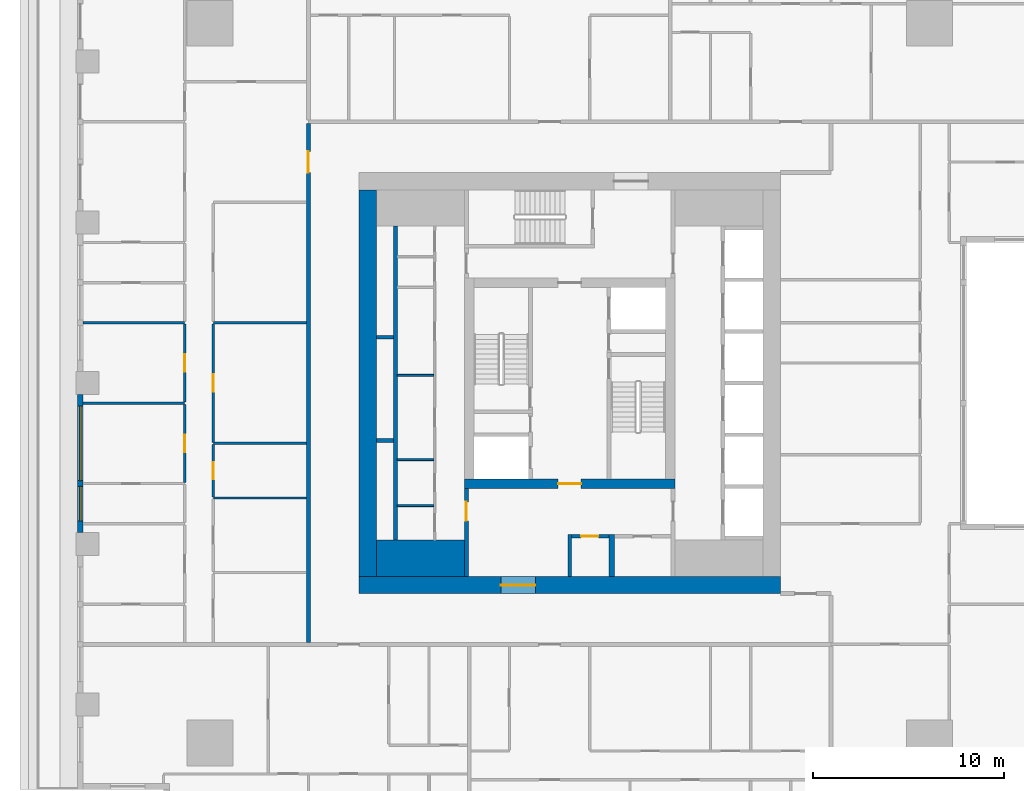
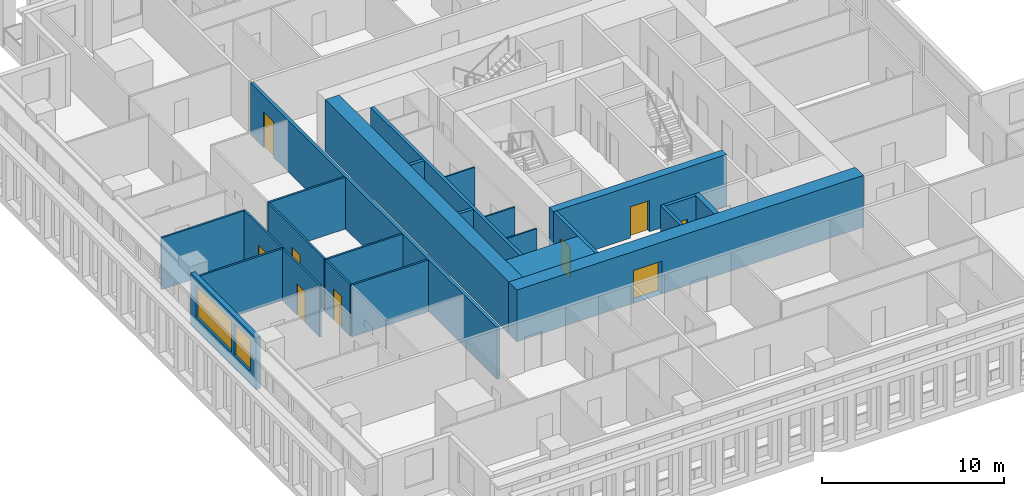
# One storey, part 3 of 16: 25 walls, 9 doors, 2 windows, 11 openings.
"""IFC4 building model written with IfcOpenShell, lengths in metres."""

from ifc_helpers import new_model, si_unit, direction, frame, frame_2d, origin, place, context, subcontext, project, spatial, rectangle, extrude, material, layer, layer_set, type_object, element, fill, save


model = new_model("IFC4")

# Units and contexts
model_context = context("Model", 3, precision=1e-05, world=origin(), true_north=direction((0.0, 1.0)))
body_context = subcontext(model_context, "Body", "Model", "MODEL_VIEW")
ifc_project = project(units=[si_unit("LENGTHUNIT", "METRE"), si_unit("AREAUNIT", "SQUARE_METRE"), si_unit("VOLUMEUNIT", "CUBIC_METRE"), si_unit("PLANEANGLEUNIT", "RADIAN"), si_unit("MASSUNIT", "GRAM", prefix="KILO")], contexts=[model_context])

# Site, building, storey
site_placement = place(None, origin())
site = spatial("IfcSite", under=ifc_project, at=site_placement, CompositionType="ELEMENT")
building_placement = place(site_placement, origin())
building = spatial("IfcBuilding", under=site, at=building_placement, Name="Khepri Terraces", CompositionType="ELEMENT")
storey_placement = place(building_placement, frame((0.0, 0.0, 207.89990234375)))
storey = spatial("IfcBuildingStorey", under=building, at=storey_placement, Name="L49", CompositionType="ELEMENT", Elevation=207.89990234375)

# Walls
ifc_material_1 = material(Name="Concrete C50/60", Category="concrete")
ifc_layer_1 = layer(ifc_material_1, 1.89990234375, Name="Concrete C50/60", Category="concrete")
ifc_layer_set_1 = layer_set([ifc_layer_1], Name="Concrete C50/60")
wall_type_1 = type_object("IfcWallType", Name="Core wall 1900 C50/60", PredefinedType="SHEAR", material=ifc_layer_set_1)
wall_1_placement = place(storey_placement, frame((-10.10009765625, -9.14990234375, 0.0), z_axis=(0.0, 0.0, 1.0), x_axis=(1.0, 0.0, 0.0)))
element("IfcWall", 1, at=wall_1_placement, inside=storey, type_object=wall_type_1, Name="Core wall PR01 L49", PredefinedType="SHEAR", context=body_context, shape_type="SweptSolid", body=[
    extrude(rectangle(XDim=4.60009765625, YDim=1.89990234375, at=frame_2d((2.300048828125, 0.0))), origin(), (0.0, 0.0, 1.0), 3.47998046875),
])
ifc_layer_2 = layer(ifc_material_1, 0.199951171875, Name="Concrete C50/60", Category="concrete")
ifc_layer_set_2 = layer_set([ifc_layer_2], Name="Concrete C50/60")
wall_type_2 = type_object("IfcWallType", Name="Core wall 200 C50/60", PredefinedType="SHEAR", material=ifc_layer_set_2)
wall_2_placement = place(storey_placement, frame((-9.10009765625, -8.199951171875, 0.0), z_axis=(0.0, 0.0, 1.0), x_axis=(0.0, 1.0, 0.0)))
element("IfcWall", 2, at=wall_2_placement, inside=storey, type_object=wall_type_2, Name="Core wall SH01 L49", PredefinedType="SHEAR", context=body_context, shape_type="SweptSolid", body=[
    extrude(rectangle(XDim=16.39990234375, YDim=0.199951171875, at=frame_2d((8.199951171875, 0.0))), origin(), (0.0, 0.0, 1.0), 3.47998046875),
])
for number, where, z_axis, x_axis, name in (
    (3, (-10.10009765625, -3.0, 0.0), (0.0, 0.0, 1.0), (1.0, 0.0, 0.0), "Core wall SH06 L49"),
    (4, (-10.10009765625, 2.39990234375, 0.0), (0.0, 0.0, 1.0), (1.0, 0.0, 0.0), "Core wall SH11 L49"),
):
    element("IfcWall", number, at=place(storey_placement, frame(where, z_axis=z_axis, x_axis=x_axis)), inside=storey, type_object=wall_type_2, Name=name, PredefinedType="SHEAR", context=body_context, shape_type="SweptSolid", body=[
        extrude(rectangle(XDim=0.900146484375, YDim=0.199951171875, at=frame_2d((0.4501953125, 0.0))), origin(), (0.0, 0.0, 1.0), 3.47998046875),
    ])

# Wall, opening, door
ifc_layer_3 = layer(ifc_material_1, 0.5, Name="Concrete C50/60", Category="concrete")
ifc_layer_set_3 = layer_set([ifc_layer_3], Name="Concrete C50/60")
wall_type_3 = type_object("IfcWallType", Name="Core wall 500 C50/60", PredefinedType="SHEAR", material=ifc_layer_set_3)
wall_3_placement = place(storey_placement, frame((-5.5, -5.25, 0.0), z_axis=(0.0, 0.0, 1.0), x_axis=(1.0, 0.0, 0.0)))
wall_3 = element("IfcWall", 5, at=wall_3_placement, inside=storey, type_object=wall_type_3, Name="Core wall BX01 L49", PredefinedType="SHEAR", context=body_context, shape_type="SweptSolid", body=[
    extrude(rectangle(XDim=11.0, YDim=0.5, at=frame_2d((5.5, 0.0))), origin(), (0.0, 0.0, 1.0), 3.47998046875),
])
opening_1_placement = place(wall_3_placement, frame((4.89990234375, 0.0, 0.0)))
opening_1 = element("IfcOpeningElement", 6, at=opening_1_placement, cuts=wall_3, Name="Opening L49-C14", PredefinedType="OPENING", context=body_context, shape_type="SweptSolid", body=[
    extrude(rectangle(XDim=1.199951171875, YDim=2.10009765625, at=frame_2d((0.60009765625, 1.050048828125))), frame((0.0, 0.260009765625, 0.0), z_axis=(0.0, -1.0, 0.0), x_axis=(1.0, 0.0, 0.0)), (0.0, 0.0, 1.0), 0.52001953125),
])
ifc_material_2 = material(Name="Painted steel", Category="steel")
door_type_1 = type_object("IfcDoorType", Name="DR-CORE-FF-LOBBY-1200", OperationType="NOTDEFINED", PredefinedType="DOOR", material=ifc_material_2)
door_1_placement = place(opening_1_placement, origin())
door_1 = element("IfcDoor", 7, at=door_1_placement, inside=storey, type_object=door_type_1, Name="Firefighting lobby door L49-C14", OperationType="SINGLE_SWING_RIGHT", OverallHeight=2.10009765625, OverallWidth=1.199951171875, PredefinedType="DOOR", context=body_context, shape_type="SweptSolid", body=[
    extrude(rectangle(XDim=1.199951171875, YDim=2.10009765625, at=frame_2d((0.60009765625, 1.050048828125))), frame((0.0, 0.02490234375, 0.0), z_axis=(0.0, -1.0, 0.0), x_axis=(1.0, 0.0, 0.0)), (0.0, 0.0, 1.0), 0.050048828125),
])
fill(opening_1, door_1)

ifc_layer_4 = layer(ifc_material_1, 0.89990234375, Name="Concrete C50/60", Category="concrete")
ifc_layer_set_4 = layer_set([ifc_layer_4], Name="Concrete C50/60")
wall_type_4 = type_object("IfcWallType", Name="Core wall 900 C50/60", PredefinedType="SHEAR", material=ifc_layer_set_4)
wall_4_placement = place(storey_placement, frame((-11.0, -10.550048828125, 0.0), z_axis=(0.0, 0.0, 1.0), x_axis=(1.0, 0.0, 0.0)))
wall_4 = element("IfcWall", 8, at=wall_4_placement, inside=storey, type_object=wall_type_4, Name="Core wall OW-S L49", PredefinedType="SHEAR", context=body_context, shape_type="SweptSolid", body=[
    extrude(rectangle(XDim=22.0, YDim=0.89990234375, at=frame_2d((11.0, 0.0))), origin(), (0.0, 0.0, 1.0), 3.47998046875),
])
opening_2_placement = place(wall_4_placement, frame((7.39990234375, 0.0, 0.0)))
opening_2 = element("IfcOpeningElement", 9, at=opening_2_placement, cuts=wall_4, Name="Opening L49-C21", PredefinedType="OPENING", context=body_context, shape_type="SweptSolid", body=[
    extrude(rectangle(XDim=1.800048828125, YDim=2.199951171875, at=frame_2d((0.89990234375, 1.10009765625))), frame((0.0, 0.4599609375, 0.0), z_axis=(0.0, -1.0, 0.0), x_axis=(1.0, 0.0, 0.0)), (0.0, 0.0, 1.0), 0.919921875),
])
door_type_2 = type_object("IfcDoorType", Name="DR-CORE-ENTRANCE-1800", OperationType="NOTDEFINED", PredefinedType="DOOR", material=ifc_material_2)
door_2_placement = place(opening_2_placement, frame((1.800048828125, 0.0, 0.0), z_axis=(0.0, 0.0, 1.0), x_axis=(-1.0, 0.0, 0.0)))
door_2 = element("IfcDoor", 10, at=door_2_placement, inside=storey, type_object=door_type_2, Name="Core entrance door pair L49-C21", OperationType="DOUBLE_DOOR_SINGLE_SWING", OverallHeight=2.199951171875, OverallWidth=1.800048828125, PredefinedType="DOOR", context=body_context, shape_type="SweptSolid", body=[
    extrude(rectangle(XDim=1.800048828125, YDim=2.199951171875, at=frame_2d((0.89990234375, 1.10009765625))), frame((0.0, 0.02490234375, 0.0), z_axis=(0.0, -1.0, 0.0), x_axis=(1.0, 0.0, 0.0)), (0.0, 0.0, 1.0), 0.050048828125),
])
fill(opening_2, door_2)

# Walls
wall_5_placement = place(storey_placement, frame((-10.550048828125, -10.10009765625, 0.0), z_axis=(0.0, 0.0, 1.0), x_axis=(0.0, 1.0, 0.0)))
element("IfcWall", 11, at=wall_5_placement, inside=storey, type_object=wall_type_4, Name="Core wall OW-W L49", PredefinedType="SHEAR", context=body_context, shape_type="SweptSolid", body=[
    extrude(rectangle(XDim=20.2001953125, YDim=0.89990234375, at=frame_2d((10.10009765625, 0.0))), origin(), (0.0, 0.0, 1.0), 3.47998046875),
])
ifc_material_3 = material(Name="Fire-rated gypsum board partition")
ifc_layer_5 = layer(ifc_material_3, 0.10009765625, Name="Fire-rated gypsum board partition")
ifc_layer_set_5 = layer_set([ifc_layer_5], Name="Fire-rated gypsum board partition")
wall_type_5 = type_object("IfcWallType", Name="WL-CORE-PART-100", PredefinedType="PARTITIONING", material=ifc_layer_set_5)
for number, where, z_axis, x_axis, name in (
    (12, (-9.0, -6.39990234375, 0.0), (0.0, 0.0, 1.0), (1.0, 0.0, 0.0), "Core partition PT08 L49"),
    (13, (-9.0, -4.0, 0.0), (0.0, 0.0, 1.0), (1.0, 0.0, 0.0), "Core partition PT09 L49"),
    (14, (-9.0, 0.39990234375, 0.0), (0.0, 0.0, 1.0), (1.0, 0.0, 0.0), "Core partition PT10 L49"),
):
    element("IfcWall", number, at=place(storey_placement, frame(where, z_axis=z_axis, x_axis=x_axis)), inside=storey, type_object=wall_type_5, Name=name, PredefinedType="PARTITIONING", context=body_context, shape_type="SweptSolid", body=[
        extrude(rectangle(XDim=1.89990234375, YDim=0.10009765625, at=frame_2d((0.949951171875, 0.0))), origin(), (0.0, 0.0, 1.0), 3.47998046875),
    ])

# Wall, opening, door
ifc_layer_6 = layer(ifc_material_3, 0.199951171875, Name="Fire-rated gypsum board partition")
ifc_layer_set_6 = layer_set([ifc_layer_6], Name="Fire-rated gypsum board partition")
wall_type_6 = type_object("IfcWallType", Name="WL-CORE-PART-200", PredefinedType="PARTITIONING", material=ifc_layer_set_6)
wall_6_placement = place(storey_placement, frame((-5.39990234375, -10.10009765625, 0.0), z_axis=(0.0, 0.0, 1.0), x_axis=(0.0, 1.0, 0.0)))
wall_6 = element("IfcWall", 15, at=wall_6_placement, inside=storey, type_object=wall_type_6, Name="Core partition PT01 L49", PredefinedType="PARTITIONING", context=body_context, shape_type="SweptSolid", body=[
    extrude(rectangle(XDim=4.60009765625, YDim=0.199951171875, at=frame_2d((2.300048828125, 0.0))), origin(), (0.0, 0.0, 1.0), 3.47998046875),
])
opening_3_placement = place(wall_6_placement, frame((2.89990234375, 0.0, 0.0)))
opening_3 = element("IfcOpeningElement", 16, at=opening_3_placement, cuts=wall_6, Name="Opening L49-C18", PredefinedType="OPENING", context=body_context, shape_type="SweptSolid", body=[
    extrude(rectangle(XDim=1.0, YDim=2.10009765625, at=frame_2d((0.5, 1.050048828125))), frame((0.0, 0.10986328125, 0.0), z_axis=(0.0, -1.0, 0.0), x_axis=(1.0, 0.0, 0.0)), (0.0, 0.0, 1.0), 0.219970703125),
])
door_type_3 = type_object("IfcDoorType", Name="DR-CORE-LOBBY-1000", OperationType="NOTDEFINED", PredefinedType="DOOR", material=ifc_material_2)
door_3_placement = place(opening_3_placement, frame((1.0, 0.0, 0.0), z_axis=(0.0, 0.0, 1.0), x_axis=(-1.0, 0.0, 0.0)))
door_3 = element("IfcDoor", 17, at=door_3_placement, inside=storey, type_object=door_type_3, Name="Lobby door L49-C18", OperationType="SINGLE_SWING_LEFT", OverallHeight=2.10009765625, OverallWidth=1.0, PredefinedType="DOOR", context=body_context, shape_type="SweptSolid", body=[
    extrude(rectangle(XDim=1.0, YDim=2.10009765625, at=frame_2d((0.5, 1.050048828125))), frame((0.0, 0.02490234375, 0.0), z_axis=(0.0, -1.0, 0.0), x_axis=(1.0, 0.0, 0.0)), (0.0, 0.0, 1.0), 0.050048828125),
])
fill(opening_3, door_3)

# Wall
wall_7_placement = place(storey_placement, frame((0.0, -10.10009765625, 0.0), z_axis=(0.0, 0.0, 1.0), x_axis=(0.0, 1.0, 0.0)))
element("IfcWall", 18, at=wall_7_placement, inside=storey, type_object=wall_type_6, Name="Core partition PT02 L49", PredefinedType="PARTITIONING", context=body_context, shape_type="SweptSolid", body=[
    extrude(rectangle(XDim=2.2001953125, YDim=0.199951171875, at=frame_2d((1.10009765625, 0.0))), origin(), (0.0, 0.0, 1.0), 3.47998046875),
])

# Wall, opening, door
wall_8_placement = place(storey_placement, frame((0.10009765625, -8.0, 0.0), z_axis=(0.0, 0.0, 1.0), x_axis=(1.0, 0.0, 0.0)))
wall_8 = element("IfcWall", 19, at=wall_8_placement, inside=storey, type_object=wall_type_6, Name="Core partition PT06 L49", PredefinedType="PARTITIONING", context=body_context, shape_type="SweptSolid", body=[
    extrude(rectangle(XDim=1.949951171875, YDim=0.199951171875, at=frame_2d((0.97509765625, 0.0))), origin(), (0.0, 0.0, 1.0), 3.47998046875),
])
opening_4_placement = place(wall_8_placement, frame((0.5, 0.0, 0.0)))
opening_4 = element("IfcOpeningElement", 20, at=opening_4_placement, cuts=wall_8, Name="Opening L49-C22", PredefinedType="OPENING", context=body_context, shape_type="SweptSolid", body=[
    extrude(rectangle(XDim=0.89990234375, YDim=2.10009765625, at=frame_2d((0.449951171875, 1.050048828125))), frame((0.0, 0.10986328125, 0.0), z_axis=(0.0, -1.0, 0.0), x_axis=(1.0, 0.0, 0.0)), (0.0, 0.0, 1.0), 0.219970703125),
])
door_type_4 = type_object("IfcDoorType", Name="DR-CORE-SERVICE-900", OperationType="NOTDEFINED", PredefinedType="DOOR", material=ifc_material_2)
door_4_placement = place(opening_4_placement, frame((0.89990234375, 0.0, 0.0), z_axis=(0.0, 0.0, 1.0), x_axis=(-1.0, 0.0, 0.0)))
door_4 = element("IfcDoor", 21, at=door_4_placement, inside=storey, type_object=door_type_4, Name="Service room door L49-C22", OperationType="SINGLE_SWING_RIGHT", OverallHeight=2.10009765625, OverallWidth=0.89990234375, PredefinedType="DOOR", context=body_context, shape_type="SweptSolid", body=[
    extrude(rectangle(XDim=0.89990234375, YDim=2.10009765625, at=frame_2d((0.449951171875, 1.050048828125))), frame((0.0, 0.02490234375, 0.0), z_axis=(0.0, -1.0, 0.0), x_axis=(1.0, 0.0, 0.0)), (0.0, 0.0, 1.0), 0.050048828125),
])
fill(opening_4, door_4)

# Wall
ifc_layer_7 = layer(ifc_material_3, 0.300048828125, Name="Fire-rated gypsum board partition")
ifc_layer_set_7 = layer_set([ifc_layer_7], Name="Fire-rated gypsum board partition")
wall_type_7 = type_object("IfcWallType", Name="WL-CORE-PART-300", PredefinedType="PARTITIONING", material=ifc_layer_set_7)
wall_9_placement = place(storey_placement, frame((2.199951171875, -10.10009765625, 0.0), z_axis=(0.0, 0.0, 1.0), x_axis=(0.0, 1.0, 0.0)))
element("IfcWall", 22, at=wall_9_placement, inside=storey, type_object=wall_type_7, Name="Core partition PT03 L49", PredefinedType="PARTITIONING", context=body_context, shape_type="SweptSolid", body=[
    extrude(rectangle(XDim=2.2001953125, YDim=0.300048828125, at=frame_2d((1.10009765625, 0.0))), origin(), (0.0, 0.0, 1.0), 3.47998046875),
])

# Wall, opening, door
ifc_material_4 = material(Name="Fire-rated gypsum plasterboard partition, mineral wool")
ifc_layer_8 = layer(ifc_material_4, 0.199951171875, Name="Fire-rated gypsum plasterboard partition, mineral wool")
ifc_layer_set_8 = layer_set([ifc_layer_8], Name="Fire-rated gypsum plasterboard partition, mineral wool")
wall_type_8 = type_object("IfcWallType", Name="WL-CORR-200", PredefinedType="PARTITIONING", material=ifc_layer_set_8)
wall_10_placement = place(storey_placement, frame((-13.64990234375, -13.550048828125, 0.0), z_axis=(0.0, 0.0, 1.0), x_axis=(0.0, 1.0, 0.0)))
wall_10 = element("IfcWall", 23, at=wall_10_placement, inside=storey, type_object=wall_type_8, Name="Partition P-029 L49", PredefinedType="PARTITIONING", context=body_context, shape_type="SweptSolid", body=[
    extrude(rectangle(XDim=27.10009765625, YDim=0.199951171875, at=frame_2d((13.550048828125, 0.0))), origin(), (0.0, 0.0, 1.0), 3.47998046875),
])
opening_5_placement = place(wall_10_placement, frame((24.550048828125, 0.0, 0.0)))
opening_5 = element("IfcOpeningElement", 24, at=opening_5_placement, cuts=wall_10, Name="Opening D1", PredefinedType="OPENING", context=body_context, shape_type="SweptSolid", body=[
    extrude(rectangle(XDim=1.10009765625, YDim=2.39990234375, at=frame_2d((0.550048828125, 1.199951171875))), frame((0.0, 0.10986328125, 0.0), z_axis=(0.0, -1.0, 0.0), x_axis=(1.0, 0.0, 0.0)), (0.0, 0.0, 1.0), 0.219970703125),
])
ifc_material_5 = material(Name="Solid-core timber door leaf, flat entrance door", Category="wood")
door_type_5 = type_object("IfcDoorType", Name="DR-ENT-1100", OperationType="NOTDEFINED", PredefinedType="DOOR", material=ifc_material_5)
door_5_placement = place(opening_5_placement, origin())
door_5 = element("IfcDoor", 25, at=door_5_placement, inside=storey, type_object=door_type_5, Name="Flat D1 entrance door", OperationType="SINGLE_SWING_RIGHT", OverallHeight=2.39990234375, OverallWidth=1.10009765625, PredefinedType="DOOR", context=body_context, shape_type="SweptSolid", body=[
    extrude(rectangle(XDim=1.10009765625, YDim=2.39990234375, at=frame_2d((0.550048828125, 1.199951171875))), frame((0.0, 0.02490234375, 0.0), z_axis=(0.0, -1.0, 0.0), x_axis=(1.0, 0.0, 0.0)), (0.0, 0.0, 1.0), 0.050048828125),
])
fill(opening_5, door_5)

# Wall, openings, windows
ifc_material_6 = material(Name="Precast concrete C50/60 warm stone", Category="masonry")
ifc_layer_9 = layer(ifc_material_6, 0.300048828125, Name="Precast concrete C50/60 warm stone", Category="masonry")
ifc_layer_set_9 = layer_set([ifc_layer_9], Name="Precast concrete C50/60 warm stone")
wall_type_9 = type_object("IfcWallType", Name="WL-EXT-PRECAST-300", PredefinedType="STANDARD", material=ifc_layer_set_9)
wall_11_placement = place(storey_placement, frame((-25.570068359375, -0.60009765625, 0.0), z_axis=(0.0, 0.0, 1.0), x_axis=(0.0, -1.0, 0.0)))
wall_11 = element("IfcWall", 26, at=wall_11_placement, inside=storey, type_object=wall_type_9, Name="External wall L49 W", PredefinedType="STANDARD", context=body_context, shape_type="SweptSolid", body=[
    extrude(rectangle(XDim=7.199951171875, YDim=0.300048828125, at=frame_2d((3.60009765625, 0.0))), origin(), (0.0, 0.0, 1.0), 3.47998046875),
])
opening_6_placement = place(wall_11_placement, frame((0.60009765625, 0.0, 0.89990234375)))
opening_6 = element("IfcOpeningElement", 27, at=opening_6_placement, cuts=wall_11, Name="Opening W2", PredefinedType="OPENING", context=body_context, shape_type="SweptSolid", body=[
    extrude(rectangle(XDim=3.89990234375, YDim=2.10009765625, at=frame_2d((1.949951171875, 1.050048828125))), frame((0.0, 0.16015625, 0.0), z_axis=(0.0, -1.0, 0.0), x_axis=(1.0, 0.0, 0.0)), (0.0, 0.0, 1.0), 0.320068359375),
])
opening_7_placement = place(wall_11_placement, frame((4.800048828125, 0.0, 0.89990234375)))
opening_7 = element("IfcOpeningElement", 28, at=opening_7_placement, cuts=wall_11, Name="Opening W1", PredefinedType="OPENING", context=body_context, shape_type="SweptSolid", body=[
    extrude(rectangle(XDim=1.800048828125, YDim=2.10009765625, at=frame_2d((0.89990234375, 1.050048828125))), frame((0.0, 0.16015625, 0.0), z_axis=(0.0, -1.0, 0.0), x_axis=(1.0, 0.0, 0.0)), (0.0, 0.0, 1.0), 0.320068359375),
])
ifc_material_7 = material(Name="Clear glass", Category="glass")
window_type_1 = type_object("IfcWindowType", Name="WIN-RES-1800x2100", PartitioningType="SINGLE_PANEL", PredefinedType="WINDOW", material=ifc_material_7)
window_1_placement = place(opening_7_placement, origin())
window_1 = element("IfcWindow", 29, at=window_1_placement, inside=storey, type_object=window_type_1, Name="Window L49 W", OverallHeight=2.10009765625, OverallWidth=1.800048828125, PartitioningType="SINGLE_PANEL", PredefinedType="WINDOW", context=body_context, shape_type="SweptSolid", body=[
    extrude(rectangle(XDim=1.800048828125, YDim=2.10009765625, at=frame_2d((0.89990234375, 1.050048828125))), frame((0.0, 0.030029296875, 0.0), z_axis=(0.0, -1.0, 0.0), x_axis=(1.0, 0.0, 0.0)), (0.0, 0.0, 1.0), 0.06005859375),
])
fill(opening_7, window_1)
window_type_2 = type_object("IfcWindowType", Name="WIN-RES-3900x2100", PartitioningType="SINGLE_PANEL", PredefinedType="WINDOW", material=ifc_material_7)
window_2_placement = place(opening_6_placement, origin())
window_2 = element("IfcWindow", 30, at=window_2_placement, inside=storey, type_object=window_type_2, Name="Window L49 W", OverallHeight=2.10009765625, OverallWidth=3.89990234375, PartitioningType="SINGLE_PANEL", PredefinedType="WINDOW", context=body_context, shape_type="SweptSolid", body=[
    extrude(rectangle(XDim=3.89990234375, YDim=2.10009765625, at=frame_2d((1.949951171875, 1.050048828125))), frame((0.0, 0.030029296875, 0.0), z_axis=(0.0, -1.0, 0.0), x_axis=(1.0, 0.0, 0.0)), (0.0, 0.0, 1.0), 0.06005859375),
])
fill(opening_6, window_2)

# Wall
ifc_material_8 = material(Name="Gypsum plasterboard partition")
ifc_layer_10 = layer(ifc_material_8, 0.1201171875, Name="Gypsum plasterboard partition")
ifc_layer_set_10 = layer_set([ifc_layer_10], Name="Gypsum plasterboard partition")
wall_type_10 = type_object("IfcWallType", Name="WL-PART-120", PredefinedType="PARTITIONING", material=ifc_layer_set_10)
wall_12_placement = place(storey_placement, frame((-18.6201171875, -6.0, 0.0), z_axis=(0.0, 0.0, 1.0), x_axis=(1.0, 0.0, 0.0)))
element("IfcWall", 31, at=wall_12_placement, inside=storey, type_object=wall_type_10, Name="Partition P-043 L49", PredefinedType="PARTITIONING", context=body_context, shape_type="SweptSolid", body=[
    extrude(rectangle(XDim=4.8701171875, YDim=0.1201171875, at=frame_2d((2.43505859375, 0.0))), origin(), (0.0, 0.0, 1.0), 3.47998046875),
])

# Wall, opening, door
wall_13_placement = place(storey_placement, frame((-18.6201171875, -5.93994140625, 0.0), z_axis=(0.0, 0.0, 1.0), x_axis=(0.0, 1.0, 0.0)))
wall_13 = element("IfcWall", 32, at=wall_13_placement, inside=storey, type_object=wall_type_10, Name="Partition P-044 L49", PredefinedType="PARTITIONING", context=body_context, shape_type="SweptSolid", body=[
    extrude(rectangle(XDim=2.72998046875, YDim=0.1201171875, at=frame_2d((1.364990234375, 0.0))), origin(), (0.0, 0.0, 1.0), 3.47998046875),
])
opening_8_placement = place(wall_13_placement, frame((0.9150390625, 0.0, 0.0)))
opening_8 = element("IfcOpeningElement", 33, at=opening_8_placement, cuts=wall_13, Name="Opening D4", PredefinedType="OPENING", context=body_context, shape_type="SweptSolid", body=[
    extrude(rectangle(XDim=0.89990234375, YDim=2.10009765625, at=frame_2d((0.449951171875, 1.050048828125))), frame((0.0, 0.070068359375, 0.0), z_axis=(0.0, -1.0, 0.0), x_axis=(1.0, 0.0, 0.0)), (0.0, 0.0, 1.0), 0.14013671875),
])
ifc_material_9 = material(Name="Timber door leaf, moisture resistant", Category="wood")
door_type_6 = type_object("IfcDoorType", Name="DR-WET-900", OperationType="NOTDEFINED", PredefinedType="DOOR", material=ifc_material_9)
door_6_placement = place(opening_8_placement, frame((0.89990234375, 0.0, 0.0), z_axis=(0.0, 0.0, 1.0), x_axis=(-1.0, 0.0, 0.0)))
door_6 = element("IfcDoor", 34, at=door_6_placement, inside=storey, type_object=door_type_6, Name="Door Powder Room", OperationType="SINGLE_SWING_LEFT", OverallHeight=2.10009765625, OverallWidth=0.89990234375, PredefinedType="DOOR", context=body_context, shape_type="SweptSolid", body=[
    extrude(rectangle(XDim=0.89990234375, YDim=2.10009765625, at=frame_2d((0.449951171875, 1.050048828125))), frame((0.0, 0.02490234375, 0.0), z_axis=(0.0, -1.0, 0.0), x_axis=(1.0, 0.0, 0.0)), (0.0, 0.0, 1.0), 0.050048828125),
])
fill(opening_8, door_6)

wall_14_placement = place(storey_placement, frame((-20.1201171875, -5.18994140625, 0.0), z_axis=(0.0, 0.0, 1.0), x_axis=(0.0, 1.0, 0.0)))
wall_14 = element("IfcWall", 35, at=wall_14_placement, inside=storey, type_object=wall_type_10, Name="Partition P-046 L49", PredefinedType="PARTITIONING", context=body_context, shape_type="SweptSolid", body=[
    extrude(rectangle(XDim=4.079833984375, YDim=0.1201171875, at=frame_2d((2.0400390625, 0.0))), origin(), (0.0, 0.0, 1.0), 3.47998046875),
])
opening_9_placement = place(wall_14_placement, frame((1.590087890625, 0.0, 0.0)))
opening_9 = element("IfcOpeningElement", 36, at=opening_9_placement, cuts=wall_14, Name="Opening D3", PredefinedType="OPENING", context=body_context, shape_type="SweptSolid", body=[
    extrude(rectangle(XDim=0.89990234375, YDim=2.10009765625, at=frame_2d((0.449951171875, 1.050048828125))), frame((0.0, 0.070068359375, 0.0), z_axis=(0.0, -1.0, 0.0), x_axis=(1.0, 0.0, 0.0)), (0.0, 0.0, 1.0), 0.14013671875),
])
ifc_material_10 = material(Name="Timber door leaf", Category="wood")
door_type_7 = type_object("IfcDoorType", Name="DR-INT-900", OperationType="NOTDEFINED", PredefinedType="DOOR", material=ifc_material_10)
door_7_placement = place(opening_9_placement, origin())
door_7 = element("IfcDoor", 37, at=door_7_placement, inside=storey, type_object=door_type_7, Name="Door Bedroom", OperationType="SINGLE_SWING_RIGHT", OverallHeight=2.10009765625, OverallWidth=0.89990234375, PredefinedType="DOOR", context=body_context, shape_type="SweptSolid", body=[
    extrude(rectangle(XDim=0.89990234375, YDim=2.10009765625, at=frame_2d((0.449951171875, 1.050048828125))), frame((0.0, 0.02490234375, 0.0), z_axis=(0.0, -1.0, 0.0), x_axis=(1.0, 0.0, 0.0)), (0.0, 0.0, 1.0), 0.050048828125),
])
fill(opening_9, door_7)

# Wall
wall_15_placement = place(storey_placement, frame((-18.6201171875, -3.14990234375, 0.0), z_axis=(0.0, 0.0, 1.0), x_axis=(1.0, 0.0, 0.0)))
element("IfcWall", 38, at=wall_15_placement, inside=storey, type_object=wall_type_10, Name="Partition P-049 L49", PredefinedType="PARTITIONING", context=body_context, shape_type="SweptSolid", body=[
    extrude(rectangle(XDim=4.8701171875, YDim=0.1201171875, at=frame_2d((2.43505859375, 0.0))), origin(), (0.0, 0.0, 1.0), 3.47998046875),
])

# Wall, opening, door
wall_16_placement = place(storey_placement, frame((-18.6201171875, -3.090087890625, 0.0), z_axis=(0.0, 0.0, 1.0), x_axis=(0.0, 1.0, 0.0)))
wall_16 = element("IfcWall", 39, at=wall_16_placement, inside=storey, type_object=wall_type_10, Name="Partition P-050 L49", PredefinedType="PARTITIONING", context=body_context, shape_type="SweptSolid", body=[
    extrude(rectangle(XDim=6.18017578125, YDim=0.1201171875, at=frame_2d((3.090087890625, 0.0))), origin(), (0.0, 0.0, 1.0), 3.47998046875),
])
opening_10_placement = place(wall_16_placement, frame((2.639892578125, 0.0, 0.0)))
opening_10 = element("IfcOpeningElement", 40, at=opening_10_placement, cuts=wall_16, Name="Opening D3", PredefinedType="OPENING", context=body_context, shape_type="SweptSolid", body=[
    extrude(rectangle(XDim=0.89990234375, YDim=2.10009765625, at=frame_2d((0.449951171875, 1.050048828125))), frame((0.0, 0.070068359375, 0.0), z_axis=(0.0, -1.0, 0.0), x_axis=(1.0, 0.0, 0.0)), (0.0, 0.0, 1.0), 0.14013671875),
])
door_8_placement = place(opening_10_placement, frame((0.89990234375, 0.0, 0.0), z_axis=(0.0, 0.0, 1.0), x_axis=(-1.0, 0.0, 0.0)))
door_8 = element("IfcDoor", 41, at=door_8_placement, inside=storey, type_object=door_type_7, Name="Door Staff Bedroom", OperationType="SINGLE_SWING_LEFT", OverallHeight=2.10009765625, OverallWidth=0.89990234375, PredefinedType="DOOR", context=body_context, shape_type="SweptSolid", body=[
    extrude(rectangle(XDim=0.89990234375, YDim=2.10009765625, at=frame_2d((0.449951171875, 1.050048828125))), frame((0.0, 0.02490234375, 0.0), z_axis=(0.0, -1.0, 0.0), x_axis=(1.0, 0.0, 0.0)), (0.0, 0.0, 1.0), 0.050048828125),
])
fill(opening_10, door_8)

# Wall
wall_17_placement = place(storey_placement, frame((-25.419921875, -1.050048828125, 0.0), z_axis=(0.0, 0.0, 1.0), x_axis=(1.0, 0.0, 0.0)))
element("IfcWall", 42, at=wall_17_placement, inside=storey, type_object=wall_type_10, Name="Partition P-051 L49", PredefinedType="PARTITIONING", context=body_context, shape_type="SweptSolid", body=[
    extrude(rectangle(XDim=5.2998046875, YDim=0.1201171875, at=frame_2d((2.64990234375, 0.0))), origin(), (0.0, 0.0, 1.0), 3.47998046875),
])

# Wall, opening, door
wall_18_placement = place(storey_placement, frame((-20.1201171875, -0.989990234375, 0.0), z_axis=(0.0, 0.0, 1.0), x_axis=(0.0, 1.0, 0.0)))
wall_18 = element("IfcWall", 43, at=wall_18_placement, inside=storey, type_object=wall_type_10, Name="Partition P-052 L49", PredefinedType="PARTITIONING", context=body_context, shape_type="SweptSolid", body=[
    extrude(rectangle(XDim=4.080078125, YDim=0.1201171875, at=frame_2d((2.0400390625, 0.0))), origin(), (0.0, 0.0, 1.0), 3.47998046875),
])
opening_11_placement = place(wall_18_placement, frame((1.590087890625, 0.0, 0.0)))
opening_11 = element("IfcOpeningElement", 44, at=opening_11_placement, cuts=wall_18, Name="Opening D3", PredefinedType="OPENING", context=body_context, shape_type="SweptSolid", body=[
    extrude(rectangle(XDim=0.89990234375, YDim=2.10009765625, at=frame_2d((0.449951171875, 1.050048828125))), frame((0.0, 0.070068359375, 0.0), z_axis=(0.0, -1.0, 0.0), x_axis=(1.0, 0.0, 0.0)), (0.0, 0.0, 1.0), 0.14013671875),
])
door_9_placement = place(opening_11_placement, origin())
door_9 = element("IfcDoor", 45, at=door_9_placement, inside=storey, type_object=door_type_7, Name="Door Home Office", OperationType="SINGLE_SWING_RIGHT", OverallHeight=2.10009765625, OverallWidth=0.89990234375, PredefinedType="DOOR", context=body_context, shape_type="SweptSolid", body=[
    extrude(rectangle(XDim=0.89990234375, YDim=2.10009765625, at=frame_2d((0.449951171875, 1.050048828125))), frame((0.0, 0.02490234375, 0.0), z_axis=(0.0, -1.0, 0.0), x_axis=(1.0, 0.0, 0.0)), (0.0, 0.0, 1.0), 0.050048828125),
])
fill(opening_11, door_9)

# Walls
wall_19_placement = place(storey_placement, frame((-25.419921875, 3.14990234375, 0.0), z_axis=(0.0, 0.0, 1.0), x_axis=(1.0, 0.0, 0.0)))
element("IfcWall", 46, at=wall_19_placement, inside=storey, type_object=wall_type_10, Name="Partition P-055 L49", PredefinedType="PARTITIONING", context=body_context, shape_type="SweptSolid", body=[
    extrude(rectangle(XDim=5.2998046875, YDim=0.1201171875, at=frame_2d((2.64990234375, 0.0))), origin(), (0.0, 0.0, 1.0), 3.47998046875),
])
wall_20_placement = place(storey_placement, frame((-18.6201171875, 3.14990234375, 0.0), z_axis=(0.0, 0.0, 1.0), x_axis=(1.0, 0.0, 0.0)))
element("IfcWall", 47, at=wall_20_placement, inside=storey, type_object=wall_type_10, Name="Partition P-056 L49", PredefinedType="PARTITIONING", context=body_context, shape_type="SweptSolid", body=[
    extrude(rectangle(XDim=4.8701171875, YDim=0.1201171875, at=frame_2d((2.43505859375, 0.0))), origin(), (0.0, 0.0, 1.0), 3.47998046875),
])

save(model, "model.ifc")
